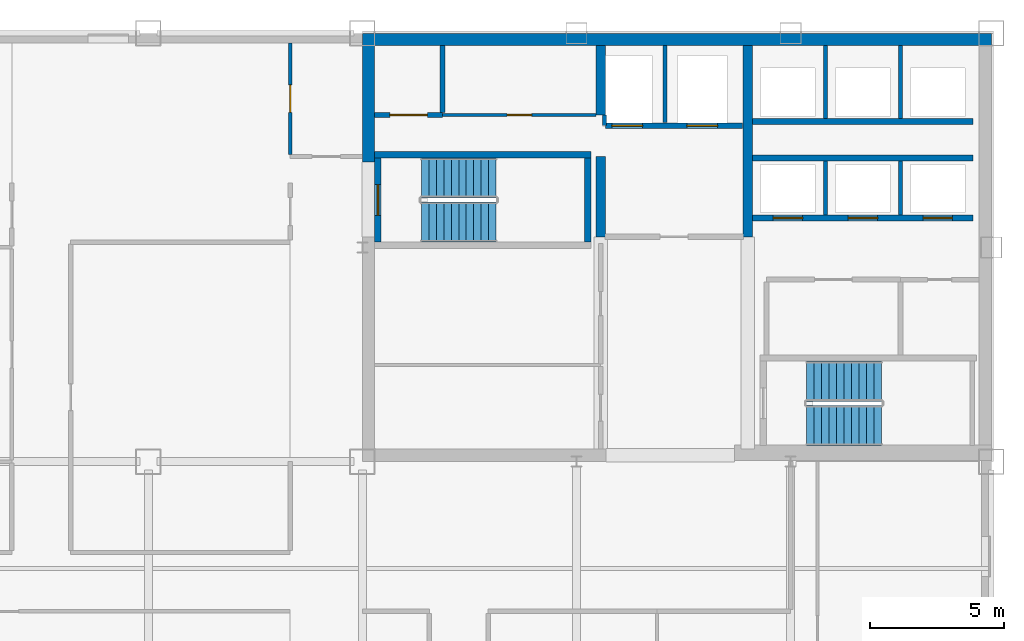
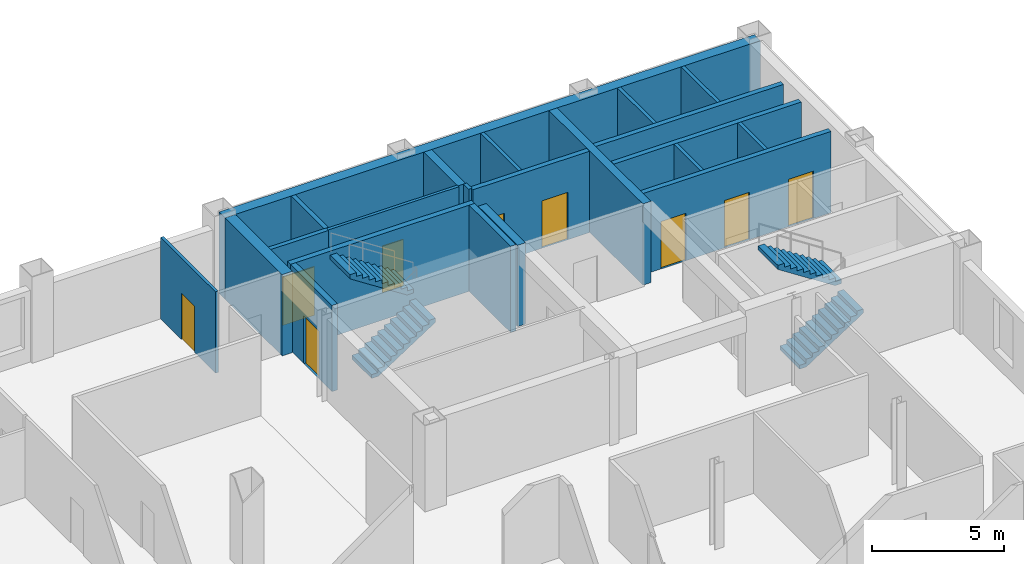
# One storey, part 6 of 10: 22 walls, 9 doors, 4 stair flights, 9 openings, 2 elements without a shape of their own.
"""IFC4 building model written with IfcOpenShell, lengths in metres."""

from ifc_helpers import new_model, si_unit, direction, frame, frame_2d, origin, place, context, subcontext, project, spatial, polyline, rectangle, outline, extrude, material, layer, layer_set, type_object, element, fill, aggregate, save


model = new_model("IFC4")

# Units and contexts
model_context = context("Model", 3, precision=1e-05, world=origin(), true_north=direction((0.0, 1.0)))
body_context = subcontext(model_context, "Body", "Model", "MODEL_VIEW")
ifc_project = project(units=[si_unit("LENGTHUNIT", "METRE"), si_unit("AREAUNIT", "SQUARE_METRE"), si_unit("VOLUMEUNIT", "CUBIC_METRE"), si_unit("PLANEANGLEUNIT", "RADIAN"), si_unit("MASSUNIT", "GRAM", prefix="KILO")], contexts=[model_context])

# Site, building, storey
site_placement = place(None, origin())
site = spatial("IfcSite", under=ifc_project, at=site_placement, CompositionType="ELEMENT")
building_placement = place(site_placement, origin())
building = spatial("IfcBuilding", under=site, at=building_placement, Name="Qianrong Seaharbour Tower", CompositionType="ELEMENT")
storey_placement = place(building_placement, frame((0.0, 0.0, 245.800048828125)))
storey = spatial("IfcBuildingStorey", under=building, at=storey_placement, Name="L59", CompositionType="ELEMENT", Elevation=245.800048828125)

# Walls
ifc_material_1 = material(Name="Concrete C60/75", Category="concrete")
ifc_layer_1 = layer(ifc_material_1, 0.4599609375)
ifc_layer_set_1 = layer_set([ifc_layer_1], Name="Concrete C60/75")
wall_type_1 = type_object("IfcWallType", Name="WALL-CORE-460", PredefinedType="SHEAR", material=ifc_layer_set_1)
wall_1_placement = place(storey_placement, frame((40.5, 51.77001953125, 0.0), z_axis=(0.0, 0.0, 1.0), x_axis=(1.0, 0.0, 0.0)))
element("IfcWall", 1, at=wall_1_placement, inside=storey, type_object=wall_type_1, Name="L59 North Core Shear Wall", PredefinedType="SHEAR", context=body_context, shape_type="SweptSolid", body=[
    extrude(rectangle(XDim=23.5, YDim=0.4599609375, at=frame_2d((11.75, 0.0))), origin(), (0.0, 0.0, 1.0), 3.77490234375),
])
wall_2_placement = place(storey_placement, frame((40.72998046875, 47.199951171875, 0.0), z_axis=(0.0, 0.0, 1.0), x_axis=(0.0, 1.0, 0.0)))
element("IfcWall", 2, at=wall_2_placement, inside=storey, type_object=wall_type_1, Name="L59 West Core Shear Wall North", PredefinedType="SHEAR", context=body_context, shape_type="SweptSolid", body=[
    extrude(rectangle(XDim=4.340087890625, YDim=0.4599609375, at=frame_2d((2.169921875, 0.0))), origin(), (0.0, 0.0, 1.0), 3.77490234375),
])
ifc_material_2 = material(Name="Concrete C50/60", Category="concrete")
ifc_layer_2 = layer(ifc_material_2, 0.35009765625)
ifc_layer_set_2 = layer_set([ifc_layer_2], Name="Concrete C50/60")
wall_type_2 = type_object("IfcWallType", Name="WALL-CORE-INT-350", PredefinedType="SHEAR", material=ifc_layer_set_2)
wall_3_placement = place(storey_placement, frame((49.39990234375, 44.39990234375, 0.0), z_axis=(0.0, 0.0, 1.0), x_axis=(0.0, 1.0, 0.0)))
element("IfcWall", 3, at=wall_3_placement, inside=storey, type_object=wall_type_2, Name="L59 Internal Core Shear Wall IW1N1", PredefinedType="SHEAR", context=body_context, shape_type="SweptSolid", body=[
    extrude(rectangle(XDim=3.0, YDim=0.35009765625, at=frame_2d((1.5, 0.0))), origin(), (0.0, 0.0, 1.0), 3.77490234375),
])
wall_4_placement = place(storey_placement, frame((49.39990234375, 48.949951171875, 0.0), z_axis=(0.0, 0.0, 1.0), x_axis=(0.0, 1.0, 0.0)))
element("IfcWall", 4, at=wall_4_placement, inside=storey, type_object=wall_type_2, Name="L59 Internal Core Shear Wall IW1N2", PredefinedType="SHEAR", context=body_context, shape_type="SweptSolid", body=[
    extrude(rectangle(XDim=2.590087890625, YDim=0.35009765625, at=frame_2d((1.294921875, 0.0))), origin(), (0.0, 0.0, 1.0), 3.77490234375),
])
wall_5_placement = place(storey_placement, frame((54.89990234375, 44.39990234375, 0.0), z_axis=(0.0, 0.0, 1.0), x_axis=(0.0, 1.0, 0.0)))
element("IfcWall", 5, at=wall_5_placement, inside=storey, type_object=wall_type_2, Name="L59 Internal Core Shear Wall IW2N", PredefinedType="SHEAR", context=body_context, shape_type="SweptSolid", body=[
    extrude(rectangle(XDim=7.14013671875, YDim=0.35009765625, at=frame_2d((3.570068359375, 0.0))), origin(), (0.0, 0.0, 1.0), 3.77490234375),
])

# Wall, opening, door
ifc_material_3 = material(Name="Double fire-rated gypsum board acoustic partition")
ifc_layer_3 = layer(ifc_material_3, 0.18994140625)
ifc_layer_set_3 = layer_set([ifc_layer_3], Name="Double fire-rated gypsum board acoustic partition")
wall_type_3 = type_object("IfcWallType", Name="WALL-FIRE-PART-190", PredefinedType="PARTITIONING", material=ifc_layer_set_3)
wall_6_placement = place(storey_placement, frame((40.9599609375, 48.949951171875, 0.0), z_axis=(0.0, 0.0, 1.0), x_axis=(1.0, 0.0, 0.0)))
wall_6 = element("IfcWall", 6, at=wall_6_placement, inside=storey, type_object=wall_type_3, Name="L59 Interior Partition Wall 004", PredefinedType="PARTITIONING", context=body_context, shape_type="SweptSolid", body=[
    extrude(rectangle(XDim=2.5400390625, YDim=0.18994140625, at=frame_2d((1.27001953125, 0.0))), origin(), (0.0, 0.0, 1.0), 3.77490234375),
])
opening_1_placement = place(wall_6_placement, frame((0.570068359375, 0.0, 0.0)))
opening_1 = element("IfcOpeningElement", 7, at=opening_1_placement, cuts=wall_6, Name="Opening DP-01", PredefinedType="OPENING", context=body_context, shape_type="SweptSolid", body=[
    extrude(rectangle(XDim=1.39990234375, YDim=2.25, at=frame_2d((0.699951171875, 1.125))), frame((0.0, 0.10498046875, 0.0), z_axis=(0.0, -1.0, 0.0), x_axis=(1.0, 0.0, 0.0)), (0.0, 0.0, 1.0), 0.2099609375),
])
ifc_material_4 = material(Name="Acoustic timber and galvanized steel fire door assembly", Category="steel")
door_type_1 = type_object("IfcDoorType", Name="DOOR-PLANT-PAIR-1400x2250", OperationType="DOUBLE_DOOR_SINGLE_SWING", PredefinedType="DOOR", material=ifc_material_4)
door_1_placement = place(opening_1_placement, origin())
door_1 = element("IfcDoor", 8, at=door_1_placement, inside=storey, type_object=door_type_1, Name="L59 Core Electrical Closet Door", OperationType="DOUBLE_DOOR_SINGLE_SWING", OverallHeight=2.25, OverallWidth=1.39990234375, PredefinedType="DOOR", context=body_context, shape_type="SweptSolid", body=[
    extrude(rectangle(XDim=1.39990234375, YDim=2.25, at=frame_2d((0.699951171875, 1.125))), frame((0.0, 0.02490234375, 0.0), z_axis=(0.0, -1.0, 0.0), x_axis=(1.0, 0.0, 0.0)), (0.0, 0.0, 1.0), 0.050048828125),
])
fill(opening_1, door_1)

# Walls
wall_7_placement = place(storey_placement, frame((43.5, 51.5400390625, 0.0), z_axis=(0.0, 0.0, 1.0), x_axis=(0.0, -1.0, 0.0)))
element("IfcWall", 9, at=wall_7_placement, inside=storey, type_object=wall_type_3, Name="L59 Interior Partition Wall 013", PredefinedType="PARTITIONING", context=body_context, shape_type="SweptSolid", body=[
    extrude(rectangle(XDim=2.5029296875, YDim=0.18994140625, at=frame_2d((1.25146484375, 0.0))), origin(), (0.0, 0.0, 1.0), 3.77490234375),
])
ifc_material_5 = material(Name="Fire-rated gypsum board on steel studs", Category="steel")
ifc_layer_4 = layer(ifc_material_5, 0.14990234375)
ifc_layer_set_4 = layer_set([ifc_layer_4], Name="Fire-rated gypsum board on steel studs")
wall_type_4 = type_object("IfcWallType", Name="WALL-SHAFT-DIV-150", PredefinedType="PARTITIONING", material=ifc_layer_set_4)
wall_8_placement = place(storey_placement, frame((51.800048828125, 48.669921875, 0.0), z_axis=(0.0, 0.0, 1.0), x_axis=(0.0, 1.0, 0.0)))
element("IfcWall", 10, at=wall_8_placement, inside=storey, type_object=wall_type_4, Name="L59 Firefighting Lift Shaft Divider Wall", PredefinedType="PARTITIONING", context=body_context, shape_type="SweptSolid", body=[
    extrude(rectangle(XDim=2.8701171875, YDim=0.14990234375, at=frame_2d((1.43505859375, 0.0))), origin(), (0.0, 0.0, 1.0), 3.77490234375),
])
wall_9_placement = place(storey_placement, frame((49.550048828125, 48.550048828125, 0.0), z_axis=(0.0, 0.0, 1.0), x_axis=(0.0, 1.0, 0.0)))
element("IfcWall", 11, at=wall_9_placement, inside=storey, type_object=wall_type_4, Name="L59 Firefighting Lift Shaft West Return Wall", PredefinedType="PARTITIONING", context=body_context, shape_type="SweptSolid", body=[
    extrude(rectangle(XDim=0.39990234375, YDim=0.14990234375, at=frame_2d((0.199951171875, 0.0))), origin(), (0.0, 0.0, 1.0), 3.77490234375),
])
for number, where, z_axis, x_axis, name in (
    (12, (57.800048828125, 45.2099609375, 0.0), (0.0, 0.0, 1.0), (0.0, 1.0, 0.0), "L59 P3 Lift Hoistway Divider 2"),
    (13, (60.60009765625, 45.2099609375, 0.0), (0.0, 0.0, 1.0), (0.0, 1.0, 0.0), "L59 P3 Lift Hoistway Divider 3"),
):
    element("IfcWall", number, at=place(storey_placement, frame(where, z_axis=z_axis, x_axis=x_axis)), inside=storey, type_object=wall_type_4, Name=name, PredefinedType="PARTITIONING", context=body_context, shape_type="SweptSolid", body=[
        extrude(rectangle(XDim=2.030029296875, YDim=0.14990234375, at=frame_2d((1.01513671875, 0.0))), origin(), (0.0, 0.0, 1.0), 3.77490234375),
    ])
for number, where, z_axis, x_axis, name in (
    (14, (57.800048828125, 48.81005859375, 0.0), (0.0, 0.0, 1.0), (0.0, 1.0, 0.0), "L59 P4 Lift Hoistway Divider 2"),
    (15, (60.60009765625, 48.81005859375, 0.0), (0.0, 0.0, 1.0), (0.0, 1.0, 0.0), "L59 P4 Lift Hoistway Divider 3"),
):
    element("IfcWall", number, at=place(storey_placement, frame(where, z_axis=z_axis, x_axis=x_axis)), inside=storey, type_object=wall_type_4, Name=name, PredefinedType="PARTITIONING", context=body_context, shape_type="SweptSolid", body=[
        extrude(rectangle(XDim=2.72998046875, YDim=0.14990234375, at=frame_2d((1.364990234375, 0.0))), origin(), (0.0, 0.0, 1.0), 3.77490234375),
    ])

# Wall, openings, doors
ifc_layer_5 = layer(ifc_material_5, 0.219970703125)
ifc_layer_set_5 = layer_set([ifc_layer_5], Name="Fire-rated gypsum board on steel studs")
wall_type_5 = type_object("IfcWallType", Name="WALL-SHAFT-GYP220", PredefinedType="PARTITIONING", material=ifc_layer_set_5)
wall_10_placement = place(storey_placement, frame((54.7099609375, 48.550048828125, 0.0), z_axis=(0.0, 0.0, 1.0), x_axis=(-1.0, 0.0, 0.0)))
wall_10 = element("IfcWall", 16, at=wall_10_placement, inside=storey, type_object=wall_type_5, Name="L59 Firefighting Lift Shaft Front Wall", PredefinedType="PARTITIONING", context=body_context, shape_type="SweptSolid", body=[
    extrude(rectangle(XDim=5.119873046875, YDim=0.219970703125, at=frame_2d((2.56005859375, 0.0))), origin(), (0.0, 0.0, 1.0), 3.77490234375),
])
opening_2_placement = place(wall_10_placement, frame((3.735107421875, 0.0, 0.0)))
opening_2 = element("IfcOpeningElement", 17, at=opening_2_placement, cuts=wall_10, Name="Opening LD-01", PredefinedType="OPENING", context=body_context, shape_type="SweptSolid", body=[
    extrude(rectangle(XDim=1.14990234375, YDim=2.199951171875, at=frame_2d((0.574951171875, 1.10009765625))), frame((0.0, 0.1201171875, 0.0), z_axis=(0.0, -1.0, 0.0), x_axis=(1.0, 0.0, 0.0)), (0.0, 0.0, 1.0), 0.239990234375),
])
opening_3_placement = place(wall_10_placement, frame((0.93505859375, 0.0, 0.0)))
opening_3 = element("IfcOpeningElement", 18, at=opening_3_placement, cuts=wall_10, Name="Opening LD-01", PredefinedType="OPENING", context=body_context, shape_type="SweptSolid", body=[
    extrude(rectangle(XDim=1.14990234375, YDim=2.199951171875, at=frame_2d((0.574951171875, 1.10009765625))), frame((0.0, 0.1201171875, 0.0), z_axis=(0.0, -1.0, 0.0), x_axis=(1.0, 0.0, 0.0)), (0.0, 0.0, 1.0), 0.239990234375),
])
ifc_material_6 = material(Name="Stainless steel SUS316L bi-parting lift landing door", Category="steel")
door_type_2 = type_object("IfcDoorType", Name="DOOR-LIFT-FF-1150x2200", OperationType="DOUBLE_DOOR_SLIDING", PredefinedType="DOOR", material=ifc_material_6)
door_2_placement = place(opening_2_placement, origin())
door_2 = element("IfcDoor", 19, at=door_2_placement, inside=storey, type_object=door_type_2, Name="L59 FL-1 Firefighting Lift Landing Door", OperationType="DOUBLE_DOOR_SLIDING", OverallHeight=2.199951171875, OverallWidth=1.14990234375, PredefinedType="DOOR", context=body_context, shape_type="SweptSolid", body=[
    extrude(rectangle(XDim=1.14990234375, YDim=2.199951171875, at=frame_2d((0.574951171875, 1.10009765625))), frame((0.0, 0.02490234375, 0.0), z_axis=(0.0, -1.0, 0.0), x_axis=(1.0, 0.0, 0.0)), (0.0, 0.0, 1.0), 0.050048828125),
])
fill(opening_2, door_2)
door_3_placement = place(opening_3_placement, origin())
door_3 = element("IfcDoor", 20, at=door_3_placement, inside=storey, type_object=door_type_2, Name="L59 FL-2 Firefighting Lift Landing Door", OperationType="DOUBLE_DOOR_SLIDING", OverallHeight=2.199951171875, OverallWidth=1.14990234375, PredefinedType="DOOR", context=body_context, shape_type="SweptSolid", body=[
    extrude(rectangle(XDim=1.14990234375, YDim=2.199951171875, at=frame_2d((0.574951171875, 1.10009765625))), frame((0.0, 0.02490234375, 0.0), z_axis=(0.0, -1.0, 0.0), x_axis=(1.0, 0.0, 0.0)), (0.0, 0.0, 1.0), 0.050048828125),
])
fill(opening_3, door_3)

wall_11_placement = place(storey_placement, frame((63.320068359375, 45.10009765625, 0.0), z_axis=(0.0, 0.0, 1.0), x_axis=(-1.0, 0.0, 0.0)))
wall_11 = element("IfcWall", 21, at=wall_11_placement, inside=storey, type_object=wall_type_5, Name="L59 P3 Lift Hoistway Front Wall", PredefinedType="PARTITIONING", context=body_context, shape_type="SweptSolid", body=[
    extrude(rectangle(XDim=8.239990234375, YDim=0.219970703125, at=frame_2d((4.1201171875, 0.0))), origin(), (0.0, 0.0, 1.0), 3.77490234375),
])
opening_4_placement = place(wall_11_placement, frame((6.3701171875, 0.0, 0.0)))
opening_4 = element("IfcOpeningElement", 22, at=opening_4_placement, cuts=wall_11, Name="Opening LD-02", PredefinedType="OPENING", context=body_context, shape_type="SweptSolid", body=[
    extrude(rectangle(XDim=1.10009765625, YDim=2.199951171875, at=frame_2d((0.550048828125, 1.10009765625))), frame((0.0, 0.1201171875, 0.0), z_axis=(0.0, -1.0, 0.0), x_axis=(1.0, 0.0, 0.0)), (0.0, 0.0, 1.0), 0.239990234375),
])
opening_5_placement = place(wall_11_placement, frame((3.570068359375, 0.0, 0.0)))
opening_5 = element("IfcOpeningElement", 23, at=opening_5_placement, cuts=wall_11, Name="Opening LD-02", PredefinedType="OPENING", context=body_context, shape_type="SweptSolid", body=[
    extrude(rectangle(XDim=1.10009765625, YDim=2.199951171875, at=frame_2d((0.550048828125, 1.10009765625))), frame((0.0, 0.1201171875, 0.0), z_axis=(0.0, -1.0, 0.0), x_axis=(1.0, 0.0, 0.0)), (0.0, 0.0, 1.0), 0.239990234375),
])
opening_6_placement = place(wall_11_placement, frame((0.77001953125, 0.0, 0.0)))
opening_6 = element("IfcOpeningElement", 24, at=opening_6_placement, cuts=wall_11, Name="Opening LD-02", PredefinedType="OPENING", context=body_context, shape_type="SweptSolid", body=[
    extrude(rectangle(XDim=1.10009765625, YDim=2.199951171875, at=frame_2d((0.550048828125, 1.10009765625))), frame((0.0, 0.1201171875, 0.0), z_axis=(0.0, -1.0, 0.0), x_axis=(1.0, 0.0, 0.0)), (0.0, 0.0, 1.0), 0.239990234375),
])
door_type_3 = type_object("IfcDoorType", Name="DOOR-LIFT-PASS-1100x2200", OperationType="DOUBLE_DOOR_SLIDING", PredefinedType="DOOR", material=ifc_material_6)
door_4_placement = place(opening_4_placement, origin())
door_4 = element("IfcDoor", 25, at=door_4_placement, inside=storey, type_object=door_type_3, Name="L59 PL-3A Lift Landing Door", OperationType="DOUBLE_DOOR_SLIDING", OverallHeight=2.199951171875, OverallWidth=1.10009765625, PredefinedType="DOOR", context=body_context, shape_type="SweptSolid", body=[
    extrude(rectangle(XDim=1.10009765625, YDim=2.199951171875, at=frame_2d((0.550048828125, 1.10009765625))), frame((0.0, 0.02490234375, 0.0), z_axis=(0.0, -1.0, 0.0), x_axis=(1.0, 0.0, 0.0)), (0.0, 0.0, 1.0), 0.050048828125),
])
fill(opening_4, door_4)
door_5_placement = place(opening_5_placement, origin())
door_5 = element("IfcDoor", 26, at=door_5_placement, inside=storey, type_object=door_type_3, Name="L59 PL-3B Lift Landing Door", OperationType="DOUBLE_DOOR_SLIDING", OverallHeight=2.199951171875, OverallWidth=1.10009765625, PredefinedType="DOOR", context=body_context, shape_type="SweptSolid", body=[
    extrude(rectangle(XDim=1.10009765625, YDim=2.199951171875, at=frame_2d((0.550048828125, 1.10009765625))), frame((0.0, 0.02490234375, 0.0), z_axis=(0.0, -1.0, 0.0), x_axis=(1.0, 0.0, 0.0)), (0.0, 0.0, 1.0), 0.050048828125),
])
fill(opening_5, door_5)
door_6_placement = place(opening_6_placement, origin())
door_6 = element("IfcDoor", 27, at=door_6_placement, inside=storey, type_object=door_type_3, Name="L59 PL-3C Lift Landing Door", OperationType="DOUBLE_DOOR_SLIDING", OverallHeight=2.199951171875, OverallWidth=1.10009765625, PredefinedType="DOOR", context=body_context, shape_type="SweptSolid", body=[
    extrude(rectangle(XDim=1.10009765625, YDim=2.199951171875, at=frame_2d((0.550048828125, 1.10009765625))), frame((0.0, 0.02490234375, 0.0), z_axis=(0.0, -1.0, 0.0), x_axis=(1.0, 0.0, 0.0)), (0.0, 0.0, 1.0), 0.050048828125),
])
fill(opening_6, door_6)

# Walls
for number, where, z_axis, x_axis, name in (
    (28, (55.080078125, 47.35009765625, 0.0), (0.0, 0.0, 1.0), (1.0, 0.0, 0.0), "L59 P3 Lift Hoistway Back Wall"),
    (29, (63.320068359375, 48.699951171875, 0.0), (0.0, 0.0, 1.0), (-1.0, 0.0, 0.0), "L59 P4 Lift Hoistway Front Wall"),
):
    element("IfcWall", number, at=place(storey_placement, frame(where, z_axis=z_axis, x_axis=x_axis)), inside=storey, type_object=wall_type_5, Name=name, PredefinedType="PARTITIONING", context=body_context, shape_type="SweptSolid", body=[
        extrude(rectangle(XDim=8.239990234375, YDim=0.219970703125, at=frame_2d((4.1201171875, 0.0))), origin(), (0.0, 0.0, 1.0), 3.77490234375),
    ])
ifc_layer_6 = layer(ifc_material_2, 0.239990234375)
ifc_layer_set_6 = layer_set([ifc_layer_6], Name="Concrete C50/60")
wall_type_6 = type_object("IfcWallType", Name="WALL-SHAFT-RC240", PredefinedType="SOLIDWALL", material=ifc_layer_set_6)
wall_12_placement = place(storey_placement, frame((40.9599609375, 47.469970703125, 0.0), z_axis=(0.0, 0.0, 1.0), x_axis=(1.0, 0.0, 0.0)))
element("IfcWall", 30, at=wall_12_placement, inside=storey, type_object=wall_type_6, Name="L59 ST-1 Structural Stair Core Wall N", PredefinedType="SOLIDWALL", context=body_context, shape_type="SweptSolid", body=[
    extrude(rectangle(XDim=8.080078125, YDim=0.239990234375, at=frame_2d((4.0400390625, 0.0))), origin(), (0.0, 0.0, 1.0), 4.0),
])

# Wall, opening, door
wall_13_placement = place(storey_placement, frame((41.080078125, 47.35009765625, 0.0), z_axis=(0.0, 0.0, 1.0), x_axis=(0.0, -1.0, 0.0)))
wall_13 = element("IfcWall", 31, at=wall_13_placement, inside=storey, type_object=wall_type_6, Name="L59 ST-1 Structural Stair Core Wall W", PredefinedType="SOLIDWALL", context=body_context, shape_type="SweptSolid", body=[
    extrude(rectangle(XDim=3.150146484375, YDim=0.239990234375, at=frame_2d((1.5751953125, 0.0))), origin(), (0.0, 0.0, 1.0), 4.0),
])
opening_7_placement = place(wall_13_placement, frame((1.0, 0.0, 0.0)))
opening_7 = element("IfcOpeningElement", 32, at=opening_7_placement, cuts=wall_13, Name="Opening SD-01", PredefinedType="OPENING", context=body_context, shape_type="SweptSolid", body=[
    extrude(rectangle(XDim=1.14990234375, YDim=2.199951171875, at=frame_2d((0.574951171875, 1.10009765625))), frame((0.0, 0.1298828125, 0.0), z_axis=(0.0, -1.0, 0.0), x_axis=(1.0, 0.0, 0.0)), (0.0, 0.0, 1.0), 0.260009765625),
])
door_type_4 = type_object("IfcDoorType", Name="DOOR-STAIR-FD60-1150x2200", OperationType="NOTDEFINED", PredefinedType="DOOR", material=ifc_material_4)
door_7_placement = place(opening_7_placement, origin())
door_7 = element("IfcDoor", 33, at=door_7_placement, inside=storey, type_object=door_type_4, Name="L59 ST-1 Protected Stair Door", OperationType="SINGLE_SWING_RIGHT", OverallHeight=2.199951171875, OverallWidth=1.14990234375, PredefinedType="DOOR", context=body_context, shape_type="SweptSolid", body=[
    extrude(rectangle(XDim=1.14990234375, YDim=2.199951171875, at=frame_2d((0.574951171875, 1.10009765625))), frame((0.0, 0.02490234375, 0.0), z_axis=(0.0, -1.0, 0.0), x_axis=(1.0, 0.0, 0.0)), (0.0, 0.0, 1.0), 0.050048828125),
])
fill(opening_7, door_7)

# Wall
wall_14_placement = place(storey_placement, frame((48.919921875, 44.199951171875, 0.0), z_axis=(0.0, 0.0, 1.0), x_axis=(0.0, 1.0, 0.0)))
element("IfcWall", 34, at=wall_14_placement, inside=storey, type_object=wall_type_6, Name="L59 ST-1 Structural Stair Core Wall E", PredefinedType="SOLIDWALL", context=body_context, shape_type="SweptSolid", body=[
    extrude(rectangle(XDim=3.150146484375, YDim=0.239990234375, at=frame_2d((1.5751953125, 0.0))), origin(), (0.0, 0.0, 1.0), 4.0),
])

# Wall, opening, door
ifc_material_7 = material(Name="Water-resistant cement board sanitary partition")
ifc_layer_7 = layer(ifc_material_7, 0.1298828125)
ifc_layer_set_7 = layer_set([ifc_layer_7], Name="Water-resistant cement board sanitary partition")
wall_type_7 = type_object("IfcWallType", Name="WALL-WET-PART-130", PredefinedType="PARTITIONING", material=ifc_layer_set_7)
wall_15_placement = place(storey_placement, frame((37.800048828125, 47.474609375, 0.0), z_axis=(0.0, 0.0, 1.0), x_axis=(0.0, 1.0, 0.0)))
wall_15 = element("IfcWall", 35, at=wall_15_placement, inside=storey, type_object=wall_type_7, Name="L59 Interior Partition Wall 003", PredefinedType="PARTITIONING", context=body_context, shape_type="SweptSolid", body=[
    extrude(rectangle(XDim=4.17333984375, YDim=0.1298828125, at=frame_2d((2.086669921875, 0.0))), origin(), (0.0, 0.0, 1.0), 3.77490234375),
])
opening_8_placement = place(wall_15_placement, frame((1.57666015625, 0.0, 0.0)))
opening_8 = element("IfcOpeningElement", 36, at=opening_8_placement, cuts=wall_15, Name="Opening DAW-01", PredefinedType="OPENING", context=body_context, shape_type="SweptSolid", body=[
    extrude(rectangle(XDim=1.02001953125, YDim=2.14990234375, at=frame_2d((0.510009765625, 1.074951171875))), frame((0.0, 0.074951171875, 0.0), z_axis=(0.0, -1.0, 0.0), x_axis=(1.0, 0.0, 0.0)), (0.0, 0.0, 1.0), 0.14990234375),
])
door_type_5 = type_object("IfcDoorType", Name="DOOR-AWC-SLIDE-1020x2150", OperationType="SLIDING_TO_LEFT", PredefinedType="DOOR", material=ifc_material_4)
door_8_placement = place(opening_8_placement, origin())
door_8 = element("IfcDoor", 37, at=door_8_placement, inside=storey, type_object=door_type_5, Name="L59 Accessible Restroom WC Door", OperationType="SLIDING_TO_LEFT", OverallHeight=2.14990234375, OverallWidth=1.02001953125, PredefinedType="DOOR", context=body_context, shape_type="SweptSolid", body=[
    extrude(rectangle(XDim=1.02001953125, YDim=2.14990234375, at=frame_2d((0.510009765625, 1.074951171875))), frame((0.0, 0.02490234375, 0.0), z_axis=(0.0, -1.0, 0.0), x_axis=(1.0, 0.0, 0.0)), (0.0, 0.0, 1.0), 0.050048828125),
])
fill(opening_8, door_8)

wall_16_placement = place(storey_placement, frame((43.5, 48.949951171875, 0.0), z_axis=(0.0, 0.0, 1.0), x_axis=(1.0, 0.0, 0.0)))
wall_16 = element("IfcWall", 38, at=wall_16_placement, inside=storey, type_object=wall_type_7, Name="L59 Interior Partition Wall 005", PredefinedType="PARTITIONING", context=body_context, shape_type="SweptSolid", body=[
    extrude(rectangle(XDim=5.73291015625, YDim=0.1298828125, at=frame_2d((2.866455078125, 0.0))), origin(), (0.0, 0.0, 1.0), 3.77490234375),
])
opening_9_placement = place(wall_16_placement, frame((2.406494140625, 0.0, 0.0)))
opening_9 = element("IfcOpeningElement", 39, at=opening_9_placement, cuts=wall_16, Name="Opening DW-01", PredefinedType="OPENING", context=body_context, shape_type="SweptSolid", body=[
    extrude(rectangle(XDim=0.919921875, YDim=2.14990234375, at=frame_2d((0.4599609375, 1.074951171875))), frame((0.0, 0.074951171875, 0.0), z_axis=(0.0, -1.0, 0.0), x_axis=(1.0, 0.0, 0.0)), (0.0, 0.0, 1.0), 0.14990234375),
])
door_type_6 = type_object("IfcDoorType", Name="DOOR-WC-920x2150", OperationType="NOTDEFINED", PredefinedType="DOOR", material=ifc_material_4)
door_9_placement = place(opening_9_placement, origin())
door_9 = element("IfcDoor", 40, at=door_9_placement, inside=storey, type_object=door_type_6, Name="L59 Staff Restroom WC Door", OperationType="SINGLE_SWING_RIGHT", OverallHeight=2.14990234375, OverallWidth=0.919921875, PredefinedType="DOOR", context=body_context, shape_type="SweptSolid", body=[
    extrude(rectangle(XDim=0.919921875, YDim=2.14990234375, at=frame_2d((0.4599609375, 1.074951171875))), frame((0.0, 0.02490234375, 0.0), z_axis=(0.0, -1.0, 0.0), x_axis=(1.0, 0.0, 0.0)), (0.0, 0.0, 1.0), 0.050048828125),
])
fill(opening_9, door_9)

# Stair, stair flights
stair_type = type_object("IfcStairType", Name="STAIR-DOGLEG-1500-R22", PredefinedType="HALF_TURN_STAIR", material=ifc_material_2)
stair_1_placement = place(storey_placement, origin())
stair_1 = element("IfcStair", 41, at=stair_1_placement, inside=storey, type_object=stair_type, Name="L59 Protected Escape Stair ST-1", PredefinedType="HALF_TURN_STAIR")
stair_flight_type = type_object("IfcStairFlightType", Name="FLIGHT-STR-1500-R22", PredefinedType="STRAIGHT", material=ifc_material_2)
stair_flight_1_placement = place(storey_placement, frame((42.699951171875, 44.949951171875, 0.0), z_axis=(0.0, 0.0, 1.0), x_axis=(1.0, 0.0, 0.0)))
stair_flight_1 = element("IfcStairFlight", 42, at=stair_flight_1_placement, type_object=stair_flight_type, Name="ST-1 flight 1", NumberOfRisers=11, NumberOfTreads=10, PredefinedType="STRAIGHT", RiserHeight=0.181818182, TreadLength=0.28, context=body_context, shape_type="SweptSolid", body=[
    extrude(outline(polyline([(0.0, 0.0), (0.0, 0.181884765625), (0.280029296875, 0.181884765625), (0.280029296875, 0.363525390625), (0.56005859375, 0.363525390625), (0.56005859375, 0.54541015625), (0.840087890625, 0.54541015625), (0.840087890625, 0.727294921875), (1.1201171875, 0.727294921875), (1.1201171875, 0.9091796875), (1.39990234375, 0.9091796875), (1.39990234375, 1.0908203125), (1.679931640625, 1.0908203125), (1.679931640625, 1.272705078125), (1.9599609375, 1.272705078125), (1.9599609375, 1.45458984375), (2.239990234375, 1.45458984375), (2.239990234375, 1.636474609375), (2.52001953125, 1.636474609375), (2.52001953125, 1.818115234375), (2.800048828125, 1.818115234375), (2.800048828125, 2.0), (2.800048828125, 1.62744140625), (0.293701171875, 0.0), (0.0, 0.0)])), frame((0.0, 0.75, 0.0), z_axis=(0.0, -1.0, 0.0), x_axis=(1.0, 0.0, 0.0)), (0.0, 0.0, 1.0), 1.5),
])
stair_flight_2_placement = place(storey_placement, frame((45.5, 46.60009765625, 2.0), z_axis=(0.0, 0.0, 1.0), x_axis=(-1.0, 0.0, 0.0)))
stair_flight_2 = element("IfcStairFlight", 43, at=stair_flight_2_placement, type_object=stair_flight_type, Name="ST-1 flight 2", NumberOfRisers=11, NumberOfTreads=10, PredefinedType="STRAIGHT", RiserHeight=0.181818182, TreadLength=0.28, context=body_context, shape_type="SweptSolid", body=[
    extrude(outline(polyline([(0.0, 0.0), (0.0, 0.181884765625), (0.280029296875, 0.181884765625), (0.280029296875, 0.363525390625), (0.56005859375, 0.363525390625), (0.56005859375, 0.54541015625), (0.840087890625, 0.54541015625), (0.840087890625, 0.727294921875), (1.1201171875, 0.727294921875), (1.1201171875, 0.9091796875), (1.39990234375, 0.9091796875), (1.39990234375, 1.0908203125), (1.679931640625, 1.0908203125), (1.679931640625, 1.272705078125), (1.9599609375, 1.272705078125), (1.9599609375, 1.45458984375), (2.239990234375, 1.45458984375), (2.239990234375, 1.636474609375), (2.52001953125, 1.636474609375), (2.52001953125, 1.818115234375), (2.800048828125, 1.818115234375), (2.800048828125, 2.0), (2.800048828125, 1.62744140625), (0.293701171875, 0.0), (0.0, 0.0)])), frame((0.0, 0.75, 0.0), z_axis=(0.0, -1.0, 0.0), x_axis=(1.0, 0.0, 0.0)), (0.0, 0.0, 1.0), 1.5),
])
aggregate(stair_1, [stair_flight_1, stair_flight_2])

stair_2_placement = place(storey_placement, origin())
stair_2 = element("IfcStair", 44, at=stair_2_placement, inside=storey, type_object=stair_type, Name="L59 Protected Escape Stair ST-2", PredefinedType="HALF_TURN_STAIR")
stair_flight_3_placement = place(storey_placement, frame((57.10009765625, 37.35009765625, 0.0), z_axis=(0.0, 0.0, 1.0), x_axis=(1.0, 0.0, 0.0)))
stair_flight_3 = element("IfcStairFlight", 45, at=stair_flight_3_placement, type_object=stair_flight_type, Name="ST-2 flight 1", NumberOfRisers=11, NumberOfTreads=10, PredefinedType="STRAIGHT", RiserHeight=0.181818182, TreadLength=0.28, context=body_context, shape_type="SweptSolid", body=[
    extrude(outline(polyline([(0.0, 0.0), (0.0, 0.181884765625), (0.280029296875, 0.181884765625), (0.280029296875, 0.363525390625), (0.56005859375, 0.363525390625), (0.56005859375, 0.54541015625), (0.840087890625, 0.54541015625), (0.840087890625, 0.727294921875), (1.1201171875, 0.727294921875), (1.1201171875, 0.9091796875), (1.39990234375, 0.9091796875), (1.39990234375, 1.0908203125), (1.679931640625, 1.0908203125), (1.679931640625, 1.272705078125), (1.9599609375, 1.272705078125), (1.9599609375, 1.45458984375), (2.239990234375, 1.45458984375), (2.239990234375, 1.636474609375), (2.52001953125, 1.636474609375), (2.52001953125, 1.818115234375), (2.800048828125, 1.818115234375), (2.800048828125, 2.0), (2.800048828125, 1.62744140625), (0.293701171875, 0.0), (0.0, 0.0)])), frame((0.0, 0.75, 0.0), z_axis=(0.0, -1.0, 0.0), x_axis=(1.0, 0.0, 0.0)), (0.0, 0.0, 1.0), 1.5),
])
stair_flight_4_placement = place(storey_placement, frame((59.89990234375, 39.0, 2.0), z_axis=(0.0, 0.0, 1.0), x_axis=(-1.0, 0.0, 0.0)))
stair_flight_4 = element("IfcStairFlight", 46, at=stair_flight_4_placement, type_object=stair_flight_type, Name="ST-2 flight 2", NumberOfRisers=11, NumberOfTreads=10, PredefinedType="STRAIGHT", RiserHeight=0.181818182, TreadLength=0.28, context=body_context, shape_type="SweptSolid", body=[
    extrude(outline(polyline([(0.0, 0.0), (0.0, 0.181884765625), (0.280029296875, 0.181884765625), (0.280029296875, 0.363525390625), (0.56005859375, 0.363525390625), (0.56005859375, 0.54541015625), (0.840087890625, 0.54541015625), (0.840087890625, 0.727294921875), (1.1201171875, 0.727294921875), (1.1201171875, 0.9091796875), (1.39990234375, 0.9091796875), (1.39990234375, 1.0908203125), (1.679931640625, 1.0908203125), (1.679931640625, 1.272705078125), (1.9599609375, 1.272705078125), (1.9599609375, 1.45458984375), (2.239990234375, 1.45458984375), (2.239990234375, 1.636474609375), (2.52001953125, 1.636474609375), (2.52001953125, 1.818115234375), (2.800048828125, 1.818115234375), (2.800048828125, 2.0), (2.800048828125, 1.62744140625), (0.293701171875, 0.0), (0.0, 0.0)])), frame((0.0, 0.75, 0.0), z_axis=(0.0, -1.0, 0.0), x_axis=(1.0, 0.0, 0.0)), (0.0, 0.0, 1.0), 1.5),
])
aggregate(stair_2, [stair_flight_3, stair_flight_4])

save(model, "model.ifc")
